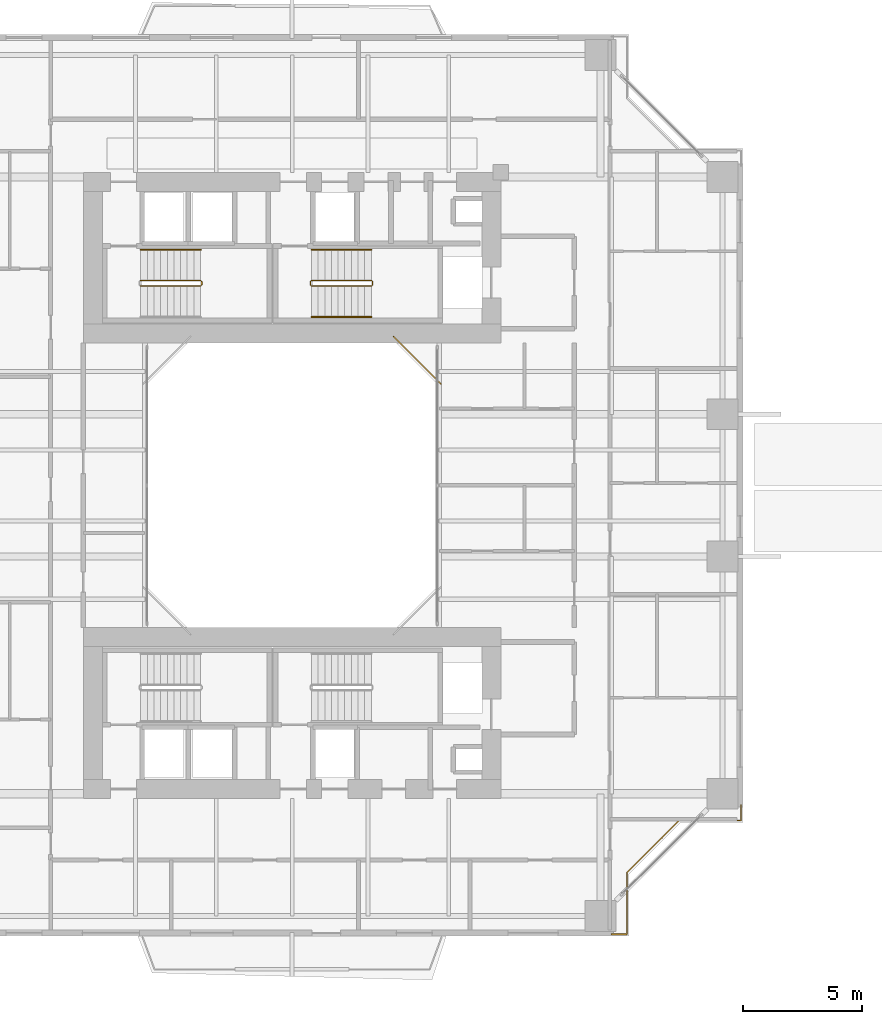
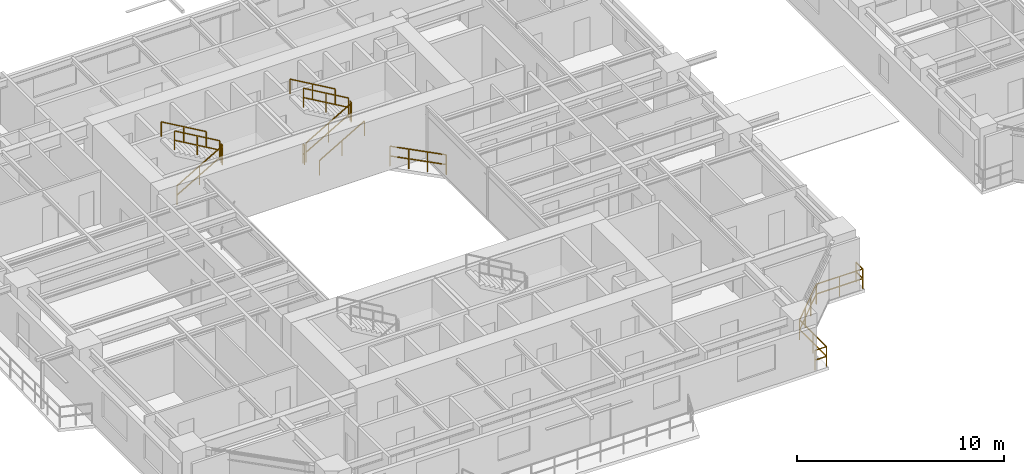
# One storey, part 20 of 23: 12 railings.
"""IFC4 building model written with IfcOpenShell, lengths in metres."""

from ifc_helpers import new_model, si_unit, direction, frame, origin, origin_2d, place, context, subcontext, project, spatial, rectangle, extrude, material, type_object, element, save


model = new_model("IFC4")

# Units and contexts
model_context = context("Model", 3, precision=1e-05, world=origin(), true_north=direction((0.0, 1.0)))
body_context = subcontext(model_context, "Body", "Model", "MODEL_VIEW")
ifc_project = project(units=[si_unit("LENGTHUNIT", "METRE"), si_unit("AREAUNIT", "SQUARE_METRE"), si_unit("VOLUMEUNIT", "CUBIC_METRE"), si_unit("PLANEANGLEUNIT", "RADIAN"), si_unit("MASSUNIT", "GRAM", prefix="KILO"), si_unit("THERMODYNAMICTEMPERATUREUNIT", "KELVIN"), si_unit("POWERUNIT", "WATT")], contexts=[model_context])

# Site, building, storey
site_placement = place(None, origin())
site = spatial("IfcSite", under=ifc_project, at=site_placement, CompositionType="ELEMENT")
building_placement = place(site_placement, origin())
building = spatial("IfcBuilding", under=site, at=building_placement, Name="Qiaomeng Ring Towers", CompositionType="ELEMENT")
storey_placement = place(building_placement, frame((0.0, 0.0, 50.25)))
storey = spatial("IfcBuildingStorey", under=building, at=storey_placement, Name="L13", CompositionType="ELEMENT", Elevation=50.25)

# Railings
ifc_material_1 = material(Name="Low-E pale-green laminated safety glass", Category="glass")
railing_type_1 = type_object("IfcRailingType", Name="ARC-RL-BAL1", PredefinedType="BALUSTRADE", material=ifc_material_1)
railing_1_placement = place(storey_placement, frame((25.280029296875, 27.280029296875, 0.0)))
element("IfcRailing", 1, at=railing_1_placement, inside=storey, type_object=railing_type_1, Name="L13 Balustrade ARC-BAL-WELL1-L13-2", PredefinedType="BALUSTRADE", context=body_context, shape_type="SweptSolid", body=[
    extrude(rectangle(XDim=0.048095703125, YDim=0.048095703125, at=origin_2d()), frame((0.0, 0.0, 1.17578125), z_axis=(-0.707106781187, 0.707106781187, 0.0), x_axis=(-0.707106781187, -0.707106781187, 0.0)), (0.0, 0.0, 1.0), 2.828369140625),
    extrude(rectangle(XDim=0.048095703125, YDim=0.048095703125, at=origin_2d()), frame((0.0, 0.0, 0.60009765625), z_axis=(-0.707106781187, 0.707106781187, 0.0), x_axis=(-0.707106781187, -0.707106781187, 0.0)), (0.0, 0.0, 1.0), 2.828369140625),
    extrude(rectangle(XDim=0.0419921875, YDim=0.0419921875, at=origin_2d()), origin(), (0.0, 0.0, 1.0), 1.15185546875),
    extrude(rectangle(XDim=0.0419921875, YDim=0.0419921875, at=origin_2d()), frame((-0.666748046875, 0.666748046875, 0.0)), (0.0, 0.0, 1.0), 1.15185546875),
    extrude(rectangle(XDim=0.0419921875, YDim=0.0419921875, at=origin_2d()), frame((-1.333251953125, 1.333251953125, 0.0)), (0.0, 0.0, 1.0), 1.15185546875),
    extrude(rectangle(XDim=0.0419921875, YDim=0.0419921875, at=origin_2d()), frame((-2.0, 2.0, 0.0)), (0.0, 0.0, 1.0), 1.15185546875),
])
railing_2_placement = place(storey_placement, frame((32.469970703125, 4.080078125, 0.0)))
element("IfcRailing", 2, at=railing_2_placement, inside=storey, type_object=railing_type_1, Name="L13 Balustrade ARC-BAL-NOTCH1-L13-SE", PredefinedType="BALUSTRADE", context=body_context, shape_type="SweptSolid", body=[
    extrude(rectangle(XDim=0.048095703125, YDim=0.048095703125, at=origin_2d()), frame((0.0, 0.0, 1.17578125), z_axis=(1.0, 0.0, 0.0), x_axis=(0.0, 1.0, 0.0)), (0.0, 0.0, 1.0), 0.650146484375),
    extrude(rectangle(XDim=0.048095703125, YDim=0.048095703125, at=origin_2d()), frame((0.0, 0.0, 0.60009765625), z_axis=(1.0, 0.0, 0.0), x_axis=(0.0, 1.0, 0.0)), (0.0, 0.0, 1.0), 0.650146484375),
    extrude(rectangle(XDim=0.048095703125, YDim=0.048095703125, at=origin_2d()), frame((0.650146484375, 0.0, 1.17578125), z_axis=(0.0, 1.0, 0.0), x_axis=(-1.0, 0.0, 0.0)), (0.0, 0.0, 1.0), 2.599853515625),
    extrude(rectangle(XDim=0.048095703125, YDim=0.048095703125, at=origin_2d()), frame((0.650146484375, 0.0, 0.60009765625), z_axis=(0.0, 1.0, 0.0), x_axis=(-1.0, 0.0, 0.0)), (0.0, 0.0, 1.0), 2.599853515625),
    extrude(rectangle(XDim=0.048095703125, YDim=0.048095703125, at=origin_2d()), frame((0.650146484375, 2.599853515625, 1.17578125), z_axis=(0.707106781187, 0.707106781187, 0.0), x_axis=(-0.707106781187, 0.707106781187, 0.0)), (0.0, 0.0, 1.0), 3.111083984375),
    extrude(rectangle(XDim=0.048095703125, YDim=0.048095703125, at=origin_2d()), frame((0.650146484375, 2.599853515625, 0.60009765625), z_axis=(0.707106781187, 0.707106781187, 0.0), x_axis=(-0.707106781187, 0.707106781187, 0.0)), (0.0, 0.0, 1.0), 3.111083984375),
    extrude(rectangle(XDim=0.048095703125, YDim=0.048095703125, at=origin_2d()), frame((2.85009765625, 4.7998046875, 1.17578125), z_axis=(1.0, 0.0, 0.0), x_axis=(0.0, 1.0, 0.0)), (0.0, 0.0, 1.0), 2.599853515625),
    extrude(rectangle(XDim=0.048095703125, YDim=0.048095703125, at=origin_2d()), frame((2.85009765625, 4.7998046875, 0.60009765625), z_axis=(1.0, 0.0, 0.0), x_axis=(0.0, 1.0, 0.0)), (0.0, 0.0, 1.0), 2.599853515625),
    extrude(rectangle(XDim=0.048095703125, YDim=0.048095703125, at=origin_2d()), frame((5.449951171875, 4.7998046875, 1.17578125), z_axis=(0.0, 1.0, 0.0), x_axis=(-1.0, 0.0, 0.0)), (0.0, 0.0, 1.0), 0.650146484375),
    extrude(rectangle(XDim=0.048095703125, YDim=0.048095703125, at=origin_2d()), frame((5.449951171875, 4.7998046875, 0.60009765625), z_axis=(0.0, 1.0, 0.0), x_axis=(-1.0, 0.0, 0.0)), (0.0, 0.0, 1.0), 0.650146484375),
    extrude(rectangle(XDim=0.0419921875, YDim=0.0419921875, at=origin_2d()), origin(), (0.0, 0.0, 1.0), 1.15185546875),
    extrude(rectangle(XDim=0.0419921875, YDim=0.0419921875, at=origin_2d()), frame((0.650146484375, 0.0, 0.0)), (0.0, 0.0, 1.0), 1.15185546875),
    extrude(rectangle(XDim=0.0419921875, YDim=0.0419921875, at=origin_2d()), frame((0.650146484375, 1.2998046875, 0.0)), (0.0, 0.0, 1.0), 1.15185546875),
    extrude(rectangle(XDim=0.0419921875, YDim=0.0419921875, at=origin_2d()), frame((0.650146484375, 2.599853515625, 0.0)), (0.0, 0.0, 1.0), 1.15185546875),
    extrude(rectangle(XDim=0.0419921875, YDim=0.0419921875, at=origin_2d()), frame((1.383544921875, 3.333251953125, 0.0)), (0.0, 0.0, 1.0), 1.15185546875),
    extrude(rectangle(XDim=0.0419921875, YDim=0.0419921875, at=origin_2d()), frame((2.11669921875, 4.06640625, 0.0)), (0.0, 0.0, 1.0), 1.15185546875),
    extrude(rectangle(XDim=0.0419921875, YDim=0.0419921875, at=origin_2d()), frame((2.85009765625, 4.7998046875, 0.0)), (0.0, 0.0, 1.0), 1.15185546875),
    extrude(rectangle(XDim=0.0419921875, YDim=0.0419921875, at=origin_2d()), frame((4.14990234375, 4.7998046875, 0.0)), (0.0, 0.0, 1.0), 1.15185546875),
    extrude(rectangle(XDim=0.0419921875, YDim=0.0419921875, at=origin_2d()), frame((5.449951171875, 4.7998046875, 0.0)), (0.0, 0.0, 1.0), 1.15185546875),
    extrude(rectangle(XDim=0.0419921875, YDim=0.0419921875, at=origin_2d()), frame((5.449951171875, 5.449951171875, 0.0)), (0.0, 0.0, 1.0), 1.15185546875),
])
ifc_material_2 = material(Name="Galvanised steel", Category="steel")
railing_type_2 = type_object("IfcRailingType", Name="ARC-RL-GUARD", PredefinedType="GUARDRAIL", material=ifc_material_2)
railing_3_placement = place(storey_placement, frame((12.6201171875, 31.39990234375, 0.16259765625)))
element("IfcRailing", 3, at=railing_3_placement, inside=storey, type_object=railing_type_2, Name="L13 ST1 stair guard 1", PredefinedType="GUARDRAIL", context=body_context, shape_type="SweptSolid", body=[
    extrude(rectangle(XDim=0.048095703125, YDim=0.048095703125, at=origin_2d()), frame((0.0, 0.0, 1.1259765625), z_axis=(0.864892226395, 0.0, 0.501957604506), x_axis=(0.0, 1.0, 0.0)), (0.0, 0.0, 1.0), 2.913330078125),
    extrude(rectangle(XDim=0.048095703125, YDim=0.048095703125, at=origin_2d()), frame((0.0, 0.0, 0.574951171875), z_axis=(0.864892226395, 0.0, 0.501957604506), x_axis=(0.0, 1.0, 0.0)), (0.0, 0.0, 1.0), 2.913330078125),
    extrude(rectangle(XDim=0.0419921875, YDim=0.0419921875, at=origin_2d()), origin(), (0.0, 0.0, 1.0), 1.101806640625),
    extrude(rectangle(XDim=0.0419921875, YDim=0.0419921875, at=origin_2d()), frame((1.259765625, 0.0, 0.731201171875)), (0.0, 0.0, 1.0), 1.101806640625),
    extrude(rectangle(XDim=0.0419921875, YDim=0.0419921875, at=origin_2d()), frame((2.519775390625, 0.0, 1.46240234375)), (0.0, 0.0, 1.0), 1.101806640625),
])
railing_4_placement = place(storey_placement, frame((15.18994140625, 31.449951171875, 1.625)))
element("IfcRailing", 4, at=railing_4_placement, inside=storey, type_object=railing_type_2, Name="L13 ST1 stair guard 2", PredefinedType="GUARDRAIL", context=body_context, shape_type="SweptSolid", body=[
    extrude(rectangle(XDim=0.048095703125, YDim=0.048095703125, at=origin_2d()), frame((0.0, 0.0, 1.1259765625), z_axis=(0.0, 1.0, 0.0), x_axis=(-1.0, 0.0, 0.0)), (0.0, 0.0, 1.0), 0.14013671875),
    extrude(rectangle(XDim=0.048095703125, YDim=0.048095703125, at=origin_2d()), frame((0.0, 0.0, 0.574951171875), z_axis=(0.0, 1.0, 0.0), x_axis=(-1.0, 0.0, 0.0)), (0.0, 0.0, 1.0), 0.14013671875),
    extrude(rectangle(XDim=0.0419921875, YDim=0.0419921875, at=origin_2d()), origin(), (0.0, 0.0, 1.0), 1.101806640625),
    extrude(rectangle(XDim=0.0419921875, YDim=0.0419921875, at=origin_2d()), frame((0.0, 0.14013671875, 0.0)), (0.0, 0.0, 1.0), 1.101806640625),
])
railing_5_placement = place(storey_placement, frame((15.139892578125, 31.639892578125, 1.78759765625)))
element("IfcRailing", 5, at=railing_5_placement, inside=storey, type_object=railing_type_2, Name="L13 ST1 stair guard 3", PredefinedType="GUARDRAIL", context=body_context, shape_type="SweptSolid", body=[
    extrude(rectangle(XDim=0.048095703125, YDim=0.048095703125, at=origin_2d()), frame((0.0, 0.0, 1.1259765625), z_axis=(-0.864892226395, 0.0, 0.501957604506), x_axis=(0.0, -1.0, 0.0)), (0.0, 0.0, 1.0), 2.913330078125),
    extrude(rectangle(XDim=0.048095703125, YDim=0.048095703125, at=origin_2d()), frame((0.0, 0.0, 0.574951171875), z_axis=(-0.864892226395, 0.0, 0.501957604506), x_axis=(0.0, -1.0, 0.0)), (0.0, 0.0, 1.0), 2.913330078125),
    extrude(rectangle(XDim=0.0419921875, YDim=0.0419921875, at=origin_2d()), origin(), (0.0, 0.0, 1.0), 1.101806640625),
    extrude(rectangle(XDim=0.0419921875, YDim=0.0419921875, at=origin_2d()), frame((-1.259765625, 0.0, 0.731201171875)), (0.0, 0.0, 1.0), 1.101806640625),
    extrude(rectangle(XDim=0.0419921875, YDim=0.0419921875, at=origin_2d()), frame((-2.519775390625, 0.0, 1.46240234375)), (0.0, 0.0, 1.0), 1.101806640625),
])
railing_6_placement = place(storey_placement, frame((19.820068359375, 31.39990234375, 0.16259765625)))
element("IfcRailing", 6, at=railing_6_placement, inside=storey, type_object=railing_type_2, Name="L13 ST2 stair guard 1", PredefinedType="GUARDRAIL", context=body_context, shape_type="SweptSolid", body=[
    extrude(rectangle(XDim=0.048095703125, YDim=0.048095703125, at=origin_2d()), frame((0.0, 0.0, 1.1259765625), z_axis=(0.864913338283, 0.0, 0.50192122615), x_axis=(0.0, 1.0, 0.0)), (0.0, 0.0, 1.0), 2.91357421875),
    extrude(rectangle(XDim=0.048095703125, YDim=0.048095703125, at=origin_2d()), frame((0.0, 0.0, 0.574951171875), z_axis=(0.864913338283, 0.0, 0.50192122615), x_axis=(0.0, 1.0, 0.0)), (0.0, 0.0, 1.0), 2.91357421875),
    extrude(rectangle(XDim=0.0419921875, YDim=0.0419921875, at=origin_2d()), origin(), (0.0, 0.0, 1.0), 1.101806640625),
    extrude(rectangle(XDim=0.0419921875, YDim=0.0419921875, at=origin_2d()), frame((1.260009765625, 0.0, 0.731201171875)), (0.0, 0.0, 1.0), 1.101806640625),
    extrude(rectangle(XDim=0.0419921875, YDim=0.0419921875, at=origin_2d()), frame((2.52001953125, 0.0, 1.46240234375)), (0.0, 0.0, 1.0), 1.101806640625),
])
railing_7_placement = place(storey_placement, frame((22.389892578125, 31.449951171875, 1.625)))
element("IfcRailing", 7, at=railing_7_placement, inside=storey, type_object=railing_type_2, Name="L13 ST2 stair guard 2", PredefinedType="GUARDRAIL", context=body_context, shape_type="SweptSolid", body=[
    extrude(rectangle(XDim=0.048095703125, YDim=0.048095703125, at=origin_2d()), frame((0.0, 0.0, 1.1259765625), z_axis=(0.0, 1.0, 0.0), x_axis=(-1.0, 0.0, 0.0)), (0.0, 0.0, 1.0), 0.14013671875),
    extrude(rectangle(XDim=0.048095703125, YDim=0.048095703125, at=origin_2d()), frame((0.0, 0.0, 0.574951171875), z_axis=(0.0, 1.0, 0.0), x_axis=(-1.0, 0.0, 0.0)), (0.0, 0.0, 1.0), 0.14013671875),
    extrude(rectangle(XDim=0.0419921875, YDim=0.0419921875, at=origin_2d()), origin(), (0.0, 0.0, 1.0), 1.101806640625),
    extrude(rectangle(XDim=0.0419921875, YDim=0.0419921875, at=origin_2d()), frame((0.0, 0.14013671875, 0.0)), (0.0, 0.0, 1.0), 1.101806640625),
])
railing_8_placement = place(storey_placement, frame((22.340087890625, 31.639892578125, 1.78759765625)))
element("IfcRailing", 8, at=railing_8_placement, inside=storey, type_object=railing_type_2, Name="L13 ST2 stair guard 3", PredefinedType="GUARDRAIL", context=body_context, shape_type="SweptSolid", body=[
    extrude(rectangle(XDim=0.048095703125, YDim=0.048095703125, at=origin_2d()), frame((0.0, 0.0, 1.1259765625), z_axis=(-0.864913338283, 0.0, 0.50192122615), x_axis=(0.0, -1.0, 0.0)), (0.0, 0.0, 1.0), 2.91357421875),
    extrude(rectangle(XDim=0.048095703125, YDim=0.048095703125, at=origin_2d()), frame((0.0, 0.0, 0.574951171875), z_axis=(-0.864913338283, 0.0, 0.50192122615), x_axis=(0.0, -1.0, 0.0)), (0.0, 0.0, 1.0), 2.91357421875),
    extrude(rectangle(XDim=0.0419921875, YDim=0.0419921875, at=origin_2d()), origin(), (0.0, 0.0, 1.0), 1.101806640625),
    extrude(rectangle(XDim=0.0419921875, YDim=0.0419921875, at=origin_2d()), frame((-1.260009765625, 0.0, 0.731201171875)), (0.0, 0.0, 1.0), 1.101806640625),
    extrude(rectangle(XDim=0.0419921875, YDim=0.0419921875, at=origin_2d()), frame((-2.52001953125, 0.0, 1.46240234375)), (0.0, 0.0, 1.0), 1.101806640625),
])
railing_9_placement = place(storey_placement, frame((19.77001953125, 31.449951171875, 0.0)))
element("IfcRailing", 9, at=railing_9_placement, inside=storey, type_object=railing_type_2, Name="L13 ST2 stair guard 4", PredefinedType="GUARDRAIL", context=body_context, shape_type="SweptSolid", body=[
    extrude(rectangle(XDim=0.048095703125, YDim=0.048095703125, at=origin_2d()), frame((0.0, 0.0, 1.1259765625), z_axis=(0.0, 1.0, 0.0), x_axis=(-1.0, 0.0, 0.0)), (0.0, 0.0, 1.0), 0.14013671875),
    extrude(rectangle(XDim=0.048095703125, YDim=0.048095703125, at=origin_2d()), frame((0.0, 0.0, 0.574951171875), z_axis=(0.0, 1.0, 0.0), x_axis=(-1.0, 0.0, 0.0)), (0.0, 0.0, 1.0), 0.14013671875),
    extrude(rectangle(XDim=0.0419921875, YDim=0.0419921875, at=origin_2d()), origin(), (0.0, 0.0, 1.0), 1.101806640625),
    extrude(rectangle(XDim=0.0419921875, YDim=0.0419921875, at=origin_2d()), frame((0.0, 0.14013671875, 0.0)), (0.0, 0.0, 1.0), 1.101806640625),
])
ifc_material_3 = material(Name="Stainless steel 316", Category="steel")
railing_type_3 = type_object("IfcRailingType", Name="ARC-RL-HAND", PredefinedType="HANDRAIL", material=ifc_material_3)
railing_10_placement = place(storey_placement, frame((15.139892578125, 32.93994140625, 1.78759765625)))
element("IfcRailing", 10, at=railing_10_placement, inside=storey, type_object=railing_type_3, Name="L13 ST1 stair handrail 2", PredefinedType="HANDRAIL", context=body_context, shape_type="SweptSolid", body=[
    extrude(rectangle(XDim=0.048095703125, YDim=0.048095703125, at=origin_2d()), frame((0.0, 0.0, 0.8759765625), z_axis=(-0.864892226395, 0.0, 0.501957604506), x_axis=(0.0, -1.0, 0.0)), (0.0, 0.0, 1.0), 2.913330078125),
    extrude(rectangle(XDim=0.0419921875, YDim=0.0419921875, at=origin_2d()), origin(), (0.0, 0.0, 1.0), 0.851806640625),
    extrude(rectangle(XDim=0.0419921875, YDim=0.0419921875, at=origin_2d()), frame((-1.259765625, 0.0, 0.731201171875)), (0.0, 0.0, 1.0), 0.851806640625),
    extrude(rectangle(XDim=0.0419921875, YDim=0.0419921875, at=origin_2d()), frame((-2.519775390625, 0.0, 1.46240234375)), (0.0, 0.0, 1.0), 0.851806640625),
])
railing_11_placement = place(storey_placement, frame((19.820068359375, 30.10009765625, 0.16259765625)))
element("IfcRailing", 11, at=railing_11_placement, inside=storey, type_object=railing_type_3, Name="L13 ST2 stair handrail 1", PredefinedType="HANDRAIL", context=body_context, shape_type="SweptSolid", body=[
    extrude(rectangle(XDim=0.048095703125, YDim=0.048095703125, at=origin_2d()), frame((0.0, 0.0, 0.8759765625), z_axis=(0.864913338283, 0.0, 0.50192122615), x_axis=(0.0, 1.0, 0.0)), (0.0, 0.0, 1.0), 2.91357421875),
    extrude(rectangle(XDim=0.0419921875, YDim=0.0419921875, at=origin_2d()), origin(), (0.0, 0.0, 1.0), 0.851806640625),
    extrude(rectangle(XDim=0.0419921875, YDim=0.0419921875, at=origin_2d()), frame((1.260009765625, 0.0, 0.731201171875)), (0.0, 0.0, 1.0), 0.851806640625),
    extrude(rectangle(XDim=0.0419921875, YDim=0.0419921875, at=origin_2d()), frame((2.52001953125, 0.0, 1.46240234375)), (0.0, 0.0, 1.0), 0.851806640625),
])
railing_12_placement = place(storey_placement, frame((22.340087890625, 32.93994140625, 1.78759765625)))
element("IfcRailing", 12, at=railing_12_placement, inside=storey, type_object=railing_type_3, Name="L13 ST2 stair handrail 2", PredefinedType="HANDRAIL", context=body_context, shape_type="SweptSolid", body=[
    extrude(rectangle(XDim=0.048095703125, YDim=0.048095703125, at=origin_2d()), frame((0.0, 0.0, 0.8759765625), z_axis=(-0.864913338283, 0.0, 0.50192122615), x_axis=(0.0, -1.0, 0.0)), (0.0, 0.0, 1.0), 2.91357421875),
    extrude(rectangle(XDim=0.0419921875, YDim=0.0419921875, at=origin_2d()), origin(), (0.0, 0.0, 1.0), 0.851806640625),
    extrude(rectangle(XDim=0.0419921875, YDim=0.0419921875, at=origin_2d()), frame((-1.260009765625, 0.0, 0.731201171875)), (0.0, 0.0, 1.0), 0.851806640625),
    extrude(rectangle(XDim=0.0419921875, YDim=0.0419921875, at=origin_2d()), frame((-2.52001953125, 0.0, 1.46240234375)), (0.0, 0.0, 1.0), 0.851806640625),
])

save(model, "model.ifc")
